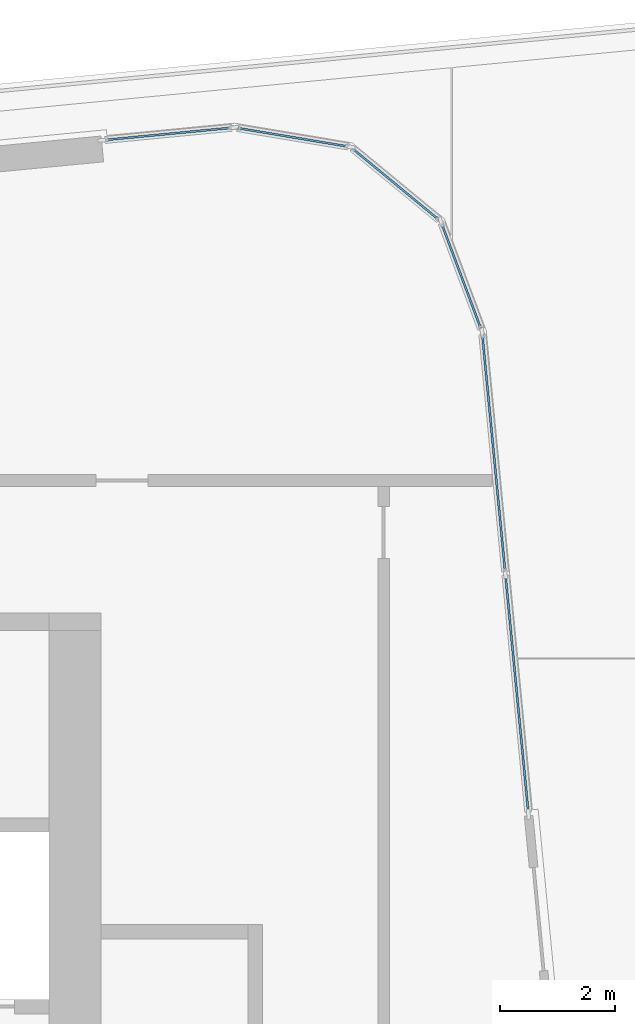
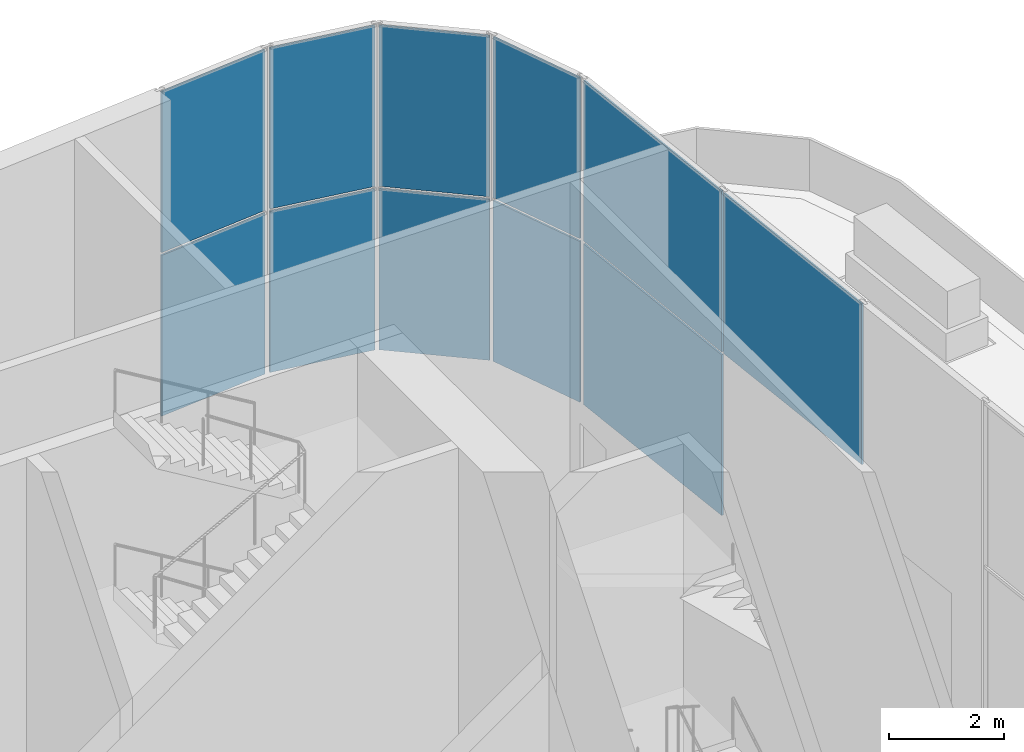
# One storey, part 11 of 25: 11 plates, 5 elements without a shape of their own.
"""IFC4 building model written with IfcOpenShell, lengths in metres."""

from ifc_helpers import new_model, si_unit, direction, frame, origin, origin_2d, place, context, subcontext, project, spatial, rectangle, extrude, material, layer, layer_set, type_object, element, aggregate, save


model = new_model("IFC4")

# Units and contexts
model_context = context("Model", 3, precision=1e-05, world=origin(), true_north=direction((0.0, 1.0)))
body_context = subcontext(model_context, "Body", "Model", "MODEL_VIEW")
ifc_project = project(units=[si_unit("LENGTHUNIT", "METRE"), si_unit("AREAUNIT", "SQUARE_METRE"), si_unit("VOLUMEUNIT", "CUBIC_METRE"), si_unit("PLANEANGLEUNIT", "RADIAN"), si_unit("MASSUNIT", "GRAM", prefix="KILO")], contexts=[model_context])

# Site, building, storey
site_placement = place(None, origin())
site = spatial("IfcSite", under=ifc_project, at=site_placement, CompositionType="ELEMENT")
building_placement = place(site_placement, origin())
building = spatial("IfcBuilding", under=site, at=building_placement, Name="Kajstack Hotel Tower", CompositionType="ELEMENT")
storey_placement = place(building_placement, frame((0.0, 0.0, 155.0)))
storey = spatial("IfcBuildingStorey", under=building, at=storey_placement, Name="L36", CompositionType="ELEMENT", Elevation=155.0)

# Curtain wall, plates
ifc_material_1 = material(Name="Aluminium-framed curtain wall, insulated glass with fritted edge", Category="aluminium")
curtain_wall_type = type_object("IfcCurtainWallType", Name="CW-SPA", PredefinedType="NOTDEFINED", material=ifc_material_1)
curtain_wall_1_placement = place(storey_placement, origin())
curtain_wall_1 = element("IfcCurtainWall", 1, at=curtain_wall_1_placement, inside=storey, type_object=curtain_wall_type, Name="Curtain wall CU7 L36-08-04-0", PredefinedType="NOTDEFINED")
ifc_material_2 = material(Name="Insulated glass with fritted edge", Category="glass")
ifc_layer = layer(ifc_material_2, 0.035888671875)
ifc_layer_set = layer_set([ifc_layer], Name="CW-P-SPA")
plate_type = type_object("IfcPlateType", Name="CW-P-SPA", PredefinedType="CURTAIN_PANEL", material=ifc_layer_set)
plate_1_placement = place(storey_placement, frame((38.710693359375, 14.101318359375, 3.5302734375), z_axis=(0.0, 0.0, 1.0), x_axis=(-0.095844365551, 0.995396331916, 0.0)))
plate_1 = element("IfcPlate", 2, at=plate_1_placement, type_object=plate_type, Name="CU7 panel 1.2", PredefinedType="CURTAIN_PANEL", context=body_context, shape_type="SweptSolid", body=[
    extrude(rectangle(XDim=4.13330078125, YDim=0.035888671875, at=origin_2d()), origin(), (0.0, 0.0, 1.0), 3.409912109375),
])
plate_2_placement = place(storey_placement, frame((38.308837890625, 18.275390625, 0.06005859375), z_axis=(0.0, 0.0, 1.0), x_axis=(-0.095844365551, 0.995396331916, 0.0)))
plate_2 = element("IfcPlate", 3, at=plate_2_placement, type_object=plate_type, Name="CU7 panel 2.1", PredefinedType="CURTAIN_PANEL", context=body_context, shape_type="SweptSolid", body=[
    extrude(rectangle(XDim=4.13330078125, YDim=0.035888671875, at=origin_2d()), origin(), (0.0, 0.0, 1.0), 3.409912109375),
])
plate_3_placement = place(storey_placement, frame((38.308837890625, 18.275390625, 3.5302734375), z_axis=(0.0, 0.0, 1.0), x_axis=(-0.095844365551, 0.995396331916, 0.0)))
plate_3 = element("IfcPlate", 4, at=plate_3_placement, type_object=plate_type, Name="CU7 panel 2.2", PredefinedType="CURTAIN_PANEL", context=body_context, shape_type="SweptSolid", body=[
    extrude(rectangle(XDim=4.13330078125, YDim=0.035888671875, at=origin_2d()), origin(), (0.0, 0.0, 1.0), 3.409912109375),
])
aggregate(curtain_wall_1, [plate_1, plate_2, plate_3])

curtain_wall_2_placement = place(storey_placement, origin())
curtain_wall_2 = element("IfcCurtainWall", 5, at=curtain_wall_2_placement, inside=storey, type_object=curtain_wall_type, Name="Curtain wall CU7 L36-09-00-0", PredefinedType="NOTDEFINED")
plate_4_placement = place(storey_placement, frame((37.746826171875, 21.3427734375, 0.06005859375), z_axis=(0.0, 0.0, 1.0), x_axis=(-0.350228848104, 0.936664162844, 0.0)))
plate_4 = element("IfcPlate", 6, at=plate_4_placement, type_object=plate_type, Name="CU7 panel 1.1", PredefinedType="CURTAIN_PANEL", context=body_context, shape_type="SweptSolid", body=[
    extrude(rectangle(XDim=1.95068359375, YDim=0.035888671875, at=origin_2d()), origin(), (0.0, 0.0, 1.0), 3.409912109375),
])
plate_5_placement = place(storey_placement, frame((37.746826171875, 21.3427734375, 3.5302734375), z_axis=(0.0, 0.0, 1.0), x_axis=(-0.350228848104, 0.936664162844, 0.0)))
plate_5 = element("IfcPlate", 7, at=plate_5_placement, type_object=plate_type, Name="CU7 panel 1.2", PredefinedType="CURTAIN_PANEL", context=body_context, shape_type="SweptSolid", body=[
    extrude(rectangle(XDim=1.95068359375, YDim=0.035888671875, at=origin_2d()), origin(), (0.0, 0.0, 1.0), 3.409912109375),
])
aggregate(curtain_wall_2, [plate_4, plate_5])

curtain_wall_3_placement = place(storey_placement, origin())
curtain_wall_3 = element("IfcCurtainWall", 8, at=curtain_wall_3_placement, inside=storey, type_object=curtain_wall_type, Name="Curtain wall CU7 L36-10-00-0", PredefinedType="NOTDEFINED")
plate_6_placement = place(storey_placement, frame((36.60791015625, 22.939453125, 0.06005859375), z_axis=(0.0, 0.0, 1.0), x_axis=(-0.771615056057, 0.636089777678, 0.0)))
plate_6 = element("IfcPlate", 9, at=plate_6_placement, type_object=plate_type, Name="CU7 panel 1.1", PredefinedType="CURTAIN_PANEL", context=body_context, shape_type="SweptSolid", body=[
    extrude(rectangle(XDim=1.950439453125, YDim=0.035888671875, at=origin_2d()), origin(), (0.0, 0.0, 1.0), 3.409912109375),
])
plate_7_placement = place(storey_placement, frame((36.60791015625, 22.939453125, 3.5302734375), z_axis=(0.0, 0.0, 1.0), x_axis=(-0.771615056057, 0.636089777678, 0.0)))
plate_7 = element("IfcPlate", 10, at=plate_7_placement, type_object=plate_type, Name="CU7 panel 1.2", PredefinedType="CURTAIN_PANEL", context=body_context, shape_type="SweptSolid", body=[
    extrude(rectangle(XDim=1.950439453125, YDim=0.035888671875, at=origin_2d()), origin(), (0.0, 0.0, 1.0), 3.409912109375),
])
aggregate(curtain_wall_3, [plate_6, plate_7])

curtain_wall_4_placement = place(storey_placement, origin())
curtain_wall_4 = element("IfcCurtainWall", 11, at=curtain_wall_4_placement, inside=storey, type_object=curtain_wall_type, Name="Curtain wall CU7 L36-11-00-0", PredefinedType="NOTDEFINED")
plate_8_placement = place(storey_placement, frame((34.8232421875, 23.752685546875, 0.06005859375), z_axis=(0.0, 0.0, 1.0), x_axis=(-0.986289302298, 0.165025489464, 0.0)))
plate_8 = element("IfcPlate", 12, at=plate_8_placement, type_object=plate_type, Name="CU7 panel 1.1", PredefinedType="CURTAIN_PANEL", context=body_context, shape_type="SweptSolid", body=[
    extrude(rectangle(XDim=1.95068359375, YDim=0.035888671875, at=origin_2d()), origin(), (0.0, 0.0, 1.0), 3.409912109375),
])
plate_9_placement = place(storey_placement, frame((34.8232421875, 23.752685546875, 3.5302734375), z_axis=(0.0, 0.0, 1.0), x_axis=(-0.986289302298, 0.165025489464, 0.0)))
plate_9 = element("IfcPlate", 13, at=plate_9_placement, type_object=plate_type, Name="CU7 panel 1.2", PredefinedType="CURTAIN_PANEL", context=body_context, shape_type="SweptSolid", body=[
    extrude(rectangle(XDim=1.95068359375, YDim=0.035888671875, at=origin_2d()), origin(), (0.0, 0.0, 1.0), 3.409912109375),
])
aggregate(curtain_wall_4, [plate_8, plate_9])

curtain_wall_5_placement = place(storey_placement, origin())
curtain_wall_5 = element("IfcCurtainWall", 14, at=curtain_wall_5_placement, inside=storey, type_object=curtain_wall_type, Name="Curtain wall CU7 L36-12-00-0", PredefinedType="NOTDEFINED")
plate_10_placement = place(storey_placement, frame((32.66455078125, 23.8115234375, 0.06005859375), z_axis=(0.0, 0.0, 1.0), x_axis=(-0.995396241579, -0.095845303742, 0.0)))
plate_10 = element("IfcPlate", 15, at=plate_10_placement, type_object=plate_type, Name="CU7 panel 1.1", PredefinedType="CURTAIN_PANEL", context=body_context, shape_type="SweptSolid", body=[
    extrude(rectangle(XDim=2.205322265625, YDim=0.035888671875, at=origin_2d()), origin(), (0.0, 0.0, 1.0), 3.409912109375),
])
plate_11_placement = place(storey_placement, frame((32.66455078125, 23.8115234375, 3.5302734375), z_axis=(0.0, 0.0, 1.0), x_axis=(-0.995396241579, -0.095845303742, 0.0)))
plate_11 = element("IfcPlate", 16, at=plate_11_placement, type_object=plate_type, Name="CU7 panel 1.2", PredefinedType="CURTAIN_PANEL", context=body_context, shape_type="SweptSolid", body=[
    extrude(rectangle(XDim=2.205322265625, YDim=0.035888671875, at=origin_2d()), origin(), (0.0, 0.0, 1.0), 3.409912109375),
])
aggregate(curtain_wall_5, [plate_10, plate_11])

save(model, "model.ifc")
